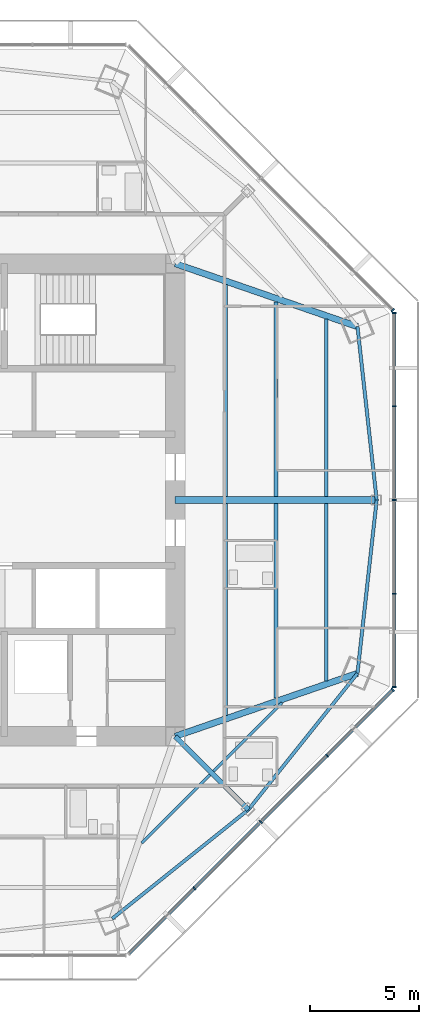
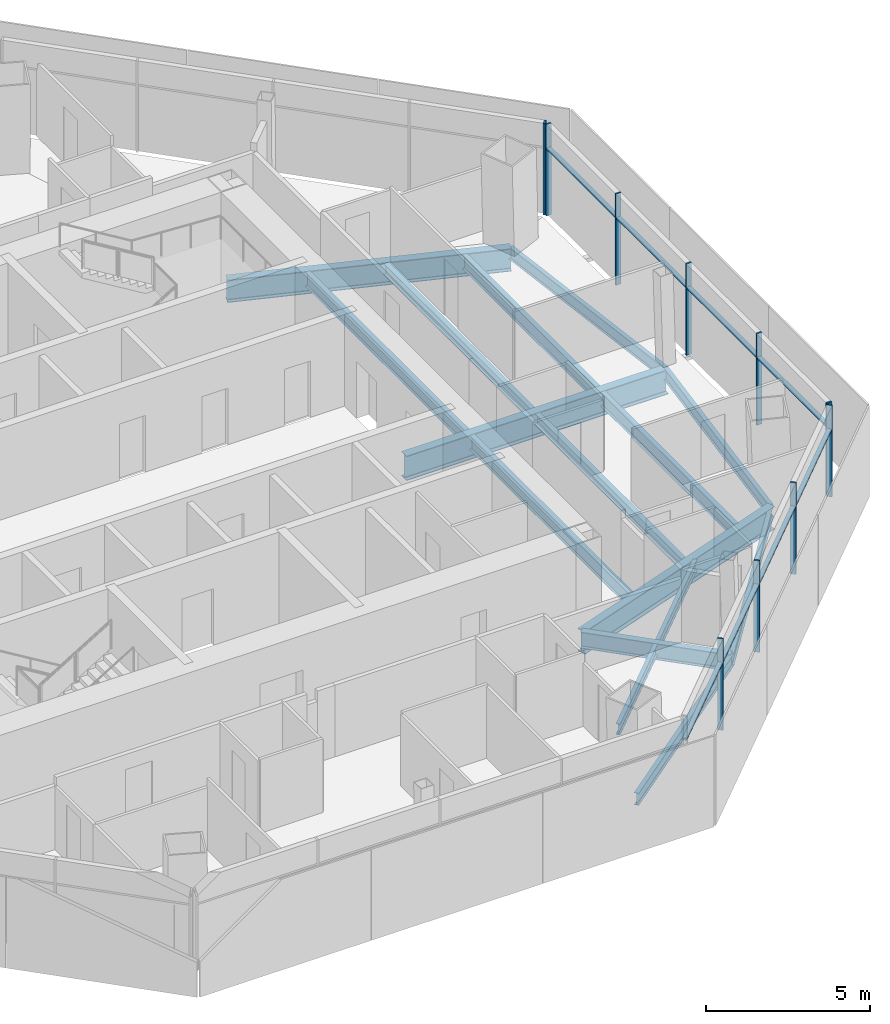
# One storey, part 4 of 14: 18 members, 16 beams, 3 elements without a shape of their own.
"""IFC4 building model written with IfcOpenShell, lengths in metres."""

import ifcopenshell
import ifcopenshell.guid

model = None  # the IFC model being written
_history = None  # IfcOwnerHistory: only IFC2X3 demands one
_inside = {}  # id of a spatial element -> (the spatial element, [elements in it])
_under = {}  # id of a project, library or spatial element -> (it, [spatial elements below it])
_declared = {}  # id of a project -> (the project, [libraries it declares])
_typed = {}  # id of a type object -> (the type object, [elements of that type])
_made_of = {}  # id of a material, layer set ... -> (it, [elements and type objects made of it])


def new_model(schema):
    """Start an empty IFC model of exactly this schema.

    Asked for "IFC4X3", IfcOpenShell would pick the latest addendum, in which some entities
    have other attributes; the version numbers below select the first issue.
    IFC2X3 requires an IfcOwnerHistory on every rooted entity: one is made here for all.
    """
    global model, _history
    if schema == "IFC4X3":
        model = ifcopenshell.file(schema_version=(4, 3, 0, 0))
    else:
        model = ifcopenshell.file(schema=schema)
    _inside.clear()
    _under.clear()
    _declared.clear()
    _typed.clear()
    _made_of.clear()
    _history = None
    if model.schema == "IFC2X3":
        org = make("IfcOrganization", Name="unknown")
        user = make(
            "IfcPersonAndOrganization",
            ThePerson=make("IfcPerson", FamilyName="unknown"),
            TheOrganization=org,
        )
        app = make(
            "IfcApplication",
            ApplicationDeveloper=org,
            Version="unknown",
            ApplicationFullName="unknown",
            ApplicationIdentifier="unknown",
        )
        _history = make(
            "IfcOwnerHistory",
            OwningUser=user,
            OwningApplication=app,
            ChangeAction="ADDED",
            CreationDate=0,
        )
    return model


def make(cls, **values):
    """One entity of the class cls with the attributes given. An attribute that is None is left unset."""
    return model.create_entity(
        cls, **{name: value for name, value in values.items() if value is not None}
    )


def rooted(cls, **values):
    """An entity with a GlobalId (a new one), such as an element, a storey or a relation."""
    return make(cls, GlobalId=ifcopenshell.guid.new(), OwnerHistory=_history, **values)


def si_unit(unit_type, name, prefix=None):
    """IfcSIUnit, for example si_unit("LENGTHUNIT", "METRE", prefix="MILLI")."""
    return make("IfcSIUnit", UnitType=unit_type, Prefix=prefix, Name=name)


def assignment(units):
    """IfcUnitAssignment: the units of a project."""
    return None if units is None else make("IfcUnitAssignment", Units=units)


def point(xyz):
    """IfcCartesianPoint."""
    return None if xyz is None else make("IfcCartesianPoint", Coordinates=xyz)


def direction(xyz):
    """IfcDirection."""
    return None if xyz is None else make("IfcDirection", DirectionRatios=xyz)


def frame(location, z_axis=None, x_axis=None):
    """IfcAxis2Placement3D, a coordinate frame: its origin and axes. An axis left out is left unset."""
    return make(
        "IfcAxis2Placement3D",
        Location=point(location),
        Axis=direction(z_axis),
        RefDirection=direction(x_axis),
    )


def frame_2d(location, x_axis=None):
    """IfcAxis2Placement2D, a coordinate frame in the plane: its origin and x axis."""
    return make(
        "IfcAxis2Placement2D", Location=point(location), RefDirection=direction(x_axis)
    )


def origin():
    """The frame at (0, 0, 0) with its axes left unset."""
    return frame((0.0, 0.0, 0.0))


def origin_2d():
    """The frame at (0, 0) in the plane with its x axis left unset."""
    return frame_2d((0.0, 0.0))


def place(relative_to, where):
    """IfcLocalPlacement: puts the frame where relative to a parent placement (None: the world)."""
    return make(
        "IfcLocalPlacement", PlacementRelTo=relative_to, RelativePlacement=where
    )


def context(
    kind, dimensions, precision=None, world=None, true_north=None, identifier=None
):
    """IfcGeometricRepresentationContext, for example the 3D "Model" context."""
    return make(
        "IfcGeometricRepresentationContext",
        ContextIdentifier=identifier,
        ContextType=kind,
        CoordinateSpaceDimension=dimensions,
        Precision=precision,
        WorldCoordinateSystem=world,
        TrueNorth=true_north,
    )


def subcontext(parent, identifier, kind, view, scale=None):
    """IfcGeometricRepresentationSubContext, for example "Body" below "Model"."""
    return make(
        "IfcGeometricRepresentationSubContext",
        ContextIdentifier=identifier,
        ContextType=kind,
        ParentContext=parent,
        TargetScale=scale,
        TargetView=view,
    )


def project(units=None, contexts=None):
    """IfcProject with its units and contexts."""
    return rooted(
        "IfcProject",
        Name="project",
        RepresentationContexts=contexts,
        UnitsInContext=assignment(units),
    )


def spatial(cls, under=None, at=None, **own):
    """A site, building, storey or space (cls), placed at a placement, below another one or the project."""
    s = rooted(cls, ObjectPlacement=at, **own)
    if under is not None:
        _under.setdefault(under.id(), (under, []))[1].append(s)
    return s


def profile(cls, at=None, kind="AREA", **sizes):
    """A parametric profile (cls). Its sizes go by their IFC names, for example OverallWidth=200.0."""
    return make(cls, ProfileType=kind, Position=at, **sizes)


def rectangle(**sizes):
    """IfcRectangleProfileDef."""
    return profile("IfcRectangleProfileDef", **sizes)


def i_section(**sizes):
    """IfcIShapeProfileDef."""
    return profile("IfcIShapeProfileDef", **sizes)


def extrude(swept, where, along, depth):
    """IfcExtrudedAreaSolid: the profile swept, set in the frame where, extruded along a direction by depth."""
    return make(
        "IfcExtrudedAreaSolid",
        SweptArea=swept,
        Position=where,
        ExtrudedDirection=direction(along),
        Depth=depth,
    )


def shape(context_of_items, identifier, shape_type, items):
    """IfcShapeRepresentation: the items that make up one representation, for example the "Body"."""
    return make(
        "IfcShapeRepresentation",
        ContextOfItems=context_of_items,
        RepresentationIdentifier=identifier,
        RepresentationType=shape_type,
        Items=items,
    )


def source(mapping_origin, context_of_items, identifier, shape_type, items):
    """IfcRepresentationMap: a shape defined once, which mapped items show again and again."""
    return make(
        "IfcRepresentationMap",
        MappingOrigin=mapping_origin,
        MappedRepresentation=shape(context_of_items, identifier, shape_type, items),
    )


def transform(
    local_origin,
    x_axis=None,
    y_axis=None,
    z_axis=None,
    scale=None,
    scale2=None,
    scale3=None,
    uniform=True,
):
    """IfcCartesianTransformationOperator3D, or its non-uniform kind. x_axis, y_axis, z_axis: its Axis1, 2, 3."""
    if uniform:
        return make(
            "IfcCartesianTransformationOperator3D",
            Axis1=direction(x_axis),
            Axis2=direction(y_axis),
            LocalOrigin=point(local_origin),
            Scale=scale,
            Axis3=direction(z_axis),
        )
    return make(
        "IfcCartesianTransformationOperator3DnonUniform",
        Axis1=direction(x_axis),
        Axis2=direction(y_axis),
        LocalOrigin=point(local_origin),
        Scale=scale,
        Axis3=direction(z_axis),
        Scale2=scale2,
        Scale3=scale3,
    )


def mapped(mapping_source, mapping_target):
    """IfcMappedItem: shows the shape of a source again, moved by a transform."""
    return make(
        "IfcMappedItem", MappingSource=mapping_source, MappingTarget=mapping_target
    )


def material(Name=None, Category=None):
    """IfcMaterial."""
    return make("IfcMaterial", Name=Name, Category=Category)


def material_profile(
    of_material, cross_section, Name=None, Category=None, Priority=None
):
    """IfcMaterialProfile: a cross section and its material."""
    return make(
        "IfcMaterialProfile",
        Name=Name,
        Material=of_material,
        Profile=cross_section,
        Priority=Priority,
        Category=Category,
    )


def profile_set(profiles, Name=None, composite=None):
    """IfcMaterialProfileSet."""
    return make(
        "IfcMaterialProfileSet",
        Name=Name,
        MaterialProfiles=profiles,
        CompositeProfile=composite,
    )


def made_of(thing, what):
    """Note that an element or type object is made of a material, layer set ...; save() writes the relation."""
    if what is not None:
        _made_of.setdefault(what.id(), (what, []))[1].append(thing)
    return thing


def type_object(cls, material=None, **own):
    """A type object (cls), such as IfcWallType, which elements share."""
    return made_of(rooted(cls, **own), material)


def type_shapes(of_type, sources):
    """Give a type object the sources (RepresentationMaps) that its elements show as mapped items."""
    of_type.RepresentationMaps = sources


def element(
    cls,
    number,
    at=None,
    inside=None,
    cuts=None,
    type_object=None,
    material=None,
    context=None,
    identifier="Body",
    shape_type=None,
    held_by="IfcProductDefinitionShape",
    body=None,
    shapes=None,
    **own,
):
    """One element of the class cls, such as IfcWall. Its Tag is "e" and its number.

    at: its placement. inside: the storey or other place that contains it. cuts: it is an
    opening in that element (IfcRelVoidsElement). A single representation is given by context,
    identifier, shape_type and body (its items); several are given by shapes. held_by: the class
    of the entity that holds the representations. save() writes the other relations.
    """
    e = rooted(cls, Tag="e%d" % number, ObjectPlacement=at, **own)
    if body is not None:
        shapes = [shape(context, identifier, shape_type, body)]
    if shapes is not None:
        e.Representation = make(held_by, Representations=shapes)
    if inside is not None:
        _inside.setdefault(inside.id(), (inside, []))[1].append(e)
    if cuts is not None:
        rooted(
            "IfcRelVoidsElement", RelatingBuildingElement=cuts, RelatedOpeningElement=e
        )
    if type_object is not None:
        _typed.setdefault(type_object.id(), (type_object, []))[1].append(e)
    return made_of(e, material)


def aggregate(whole, parts):
    """IfcRelAggregates: a whole, such as a stair, and the parts it consists of."""
    return rooted("IfcRelAggregates", RelatingObject=whole, RelatedObjects=parts)


def save(model, path):
    """Write the relations noted so far, then the file.

    IfcRelAggregates (storeys below a building ...), IfcRelContainedInSpatialStructure (elements
    in a storey), IfcRelDefinesByType, IfcRelAssociatesMaterial and IfcRelDeclares: one each for
    every whole, place, type object, material and project.
    """
    for whole, parts in _under.values():
        aggregate(whole, parts)
    for where, things in _inside.values():
        rooted(
            "IfcRelContainedInSpatialStructure",
            RelatedElements=things,
            RelatingStructure=where,
        )
    for kind, things in _typed.values():
        rooted("IfcRelDefinesByType", RelatedObjects=things, RelatingType=kind)
    for what, things in _made_of.values():
        rooted("IfcRelAssociatesMaterial", RelatedObjects=things, RelatingMaterial=what)
    for by, libraries in _declared.values():
        rooted("IfcRelDeclares", RelatingContext=by, RelatedDefinitions=libraries)
    model.write(path)


model = new_model("IFC4")

# Units and contexts
model_context = context("Model", 3, precision=1e-05, world=origin(), true_north=direction((0.0, 1.0)))
body_context = subcontext(model_context, "Body", "Model", "MODEL_VIEW")
ifc_project = project(units=[si_unit("LENGTHUNIT", "METRE"), si_unit("AREAUNIT", "SQUARE_METRE"), si_unit("VOLUMEUNIT", "CUBIC_METRE"), si_unit("PLANEANGLEUNIT", "RADIAN"), si_unit("MASSUNIT", "GRAM", prefix="KILO")], contexts=[model_context])

# Site, building, storey
site_placement = place(None, origin())
site = spatial("IfcSite", under=ifc_project, at=site_placement, CompositionType="ELEMENT")
building_placement = place(site_placement, origin())
building = spatial("IfcBuilding", under=site, at=building_placement, Name="Mashrafa Tower", CompositionType="ELEMENT")
storey_placement = place(building_placement, frame((0.0, 0.0, 255.0)))
storey = spatial("IfcBuildingStorey", under=building, at=storey_placement, Name="L61", CompositionType="ELEMENT", Elevation=255.0)

# Beams
ifc_material_1 = material(Name="Steel ASTM A992", Category="steel")
ifc_material_profile_1 = material_profile(ifc_material_1, i_section(OverallWidth=0.140380859375, OverallDepth=0.40380859375, WebThickness=0.007080078125, FlangeThickness=0.01123046875, FilletRadius=0.01025390625, at=origin_2d()), Name="W16X31")
ifc_profile_set_1 = profile_set([ifc_material_profile_1], Name="Steel ASTM A992")
beam_type_1 = type_object("IfcBeamType", Name="Beam W16X31", PredefinedType="BEAM", material=ifc_profile_set_1)
for number, where, z_axis, x_axis, name in (
    (1, (12.392822265625, -12.55419921875, -0.40185546875), (-0.707106781187, -0.707106781187, 0.0), (0.707106781187, -0.707106781187, 0.0), "Floor beam L61 024"),
    (2, (15.677001953125, -9.27001953125, -0.40185546875), (-0.707106781187, -0.707106781187, 0.0), (0.707106781187, -0.707106781187, 0.0), "Floor beam L61 030"),
):
    element("IfcBeam", number, at=place(storey_placement, frame(where, z_axis=z_axis, x_axis=x_axis)), inside=storey, type_object=beam_type_1, Name=name, PredefinedType="BEAM", context=body_context, shape_type="SweptSolid", body=[
        extrude(i_section(OverallWidth=0.140380859375, OverallDepth=0.40380859375, WebThickness=0.007080078125, FlangeThickness=0.01123046875, FilletRadius=0.01025390625, at=origin_2d()), origin(), (0.0, 0.0, 1.0), 4.416259765625),
    ])
ifc_material_2 = material(Name="Steel ASTM A992", Category="steel")
ifc_material_profile_2 = material_profile(ifc_material_2, i_section(OverallWidth=0.177734375, OverallDepth=0.406494140625, WebThickness=0.0078125, FlangeThickness=0.012939453125, FilletRadius=0.01025390625, at=origin_2d()), Name="W16X40")
ifc_profile_set_2 = profile_set([ifc_material_profile_2], Name="Steel ASTM A992")
beam_type_2 = type_object("IfcBeamType", Name="Beam W16X40", PredefinedType="BEAM", material=ifc_profile_set_2)
for number, where, z_axis, x_axis, name in (
    (3, (15.4033203125, -0.15234375, -0.4033203125), (0.0, -1.0, 0.0), (1.0, 0.0, 0.0), "Floor beam L61 028"),
    (4, (15.4033203125, 9.055419921875, -0.4033203125), (0.0, -1.0, 0.0), (1.0, 0.0, 0.0), "Floor beam L61 029"),
):
    element("IfcBeam", number, at=place(storey_placement, frame(where, z_axis=z_axis, x_axis=x_axis)), inside=storey, type_object=beam_type_2, Name=name, PredefinedType="BEAM", context=body_context, shape_type="SweptSolid", body=[
        extrude(i_section(OverallWidth=0.177734375, OverallDepth=0.406494140625, WebThickness=0.0078125, FlangeThickness=0.012939453125, FilletRadius=0.01025390625, at=origin_2d()), origin(), (0.0, 0.0, 1.0), 8.903076171875),
    ])
ifc_material_3 = material(Name="Steel ASTM A992", Category="steel")
ifc_material_profile_3 = material_profile(ifc_material_3, i_section(OverallWidth=0.15234375, OverallDepth=0.449462890625, WebThickness=0.007568359375, FlangeThickness=0.0107421875, FilletRadius=0.01025390625, at=origin_2d()), Name="W18X35")
ifc_profile_set_3 = profile_set([ifc_material_profile_3], Name="Steel ASTM A992")
beam_type_3 = type_object("IfcBeamType", Name="Beam W18X35", PredefinedType="BEAM", material=ifc_profile_set_3)
for number, where, z_axis, x_axis, name in (
    (5, (7.92333984375, -19.128662109375, -0.4248046875), (0.780698474243, 0.624907907066, 0.0), (-0.624907907066, 0.780698474243, 0.0), "Spandrel beam L61 058"),
    (6, (14.14697265625, -14.14697265625, -0.4248046875), (0.624907907066, 0.780698474243, 0.0), (-0.780698474243, 0.624907907066, 0.0), "Spandrel beam L61 060"),
    (7, (19.128662109375, -7.92333984375, -0.4248046875), (0.110159255418, 0.993913949216, 0.0), (-0.993913949216, 0.110159255418, 0.0), "Spandrel beam L61 062"),
    (8, (20.0068359375, 0.0, -0.4248046875), (-0.110159255418, 0.993913949216, 0.0), (-0.993913949216, -0.110159255418, 0.0), "Spandrel beam L61 064"),
):
    element("IfcBeam", number, at=place(storey_placement, frame(where, z_axis=z_axis, x_axis=x_axis)), inside=storey, type_object=beam_type_3, Name=name, PredefinedType="BEAM", context=body_context, shape_type="SweptSolid", body=[
        extrude(i_section(OverallWidth=0.15234375, OverallDepth=0.449462890625, WebThickness=0.007568359375, FlangeThickness=0.0107421875, FilletRadius=0.01025390625, at=origin_2d()), origin(), (0.0, 0.0, 1.0), 7.971923828125),
    ])
ifc_material_4 = material(Name="Steel ASTM A992", Category="steel")
ifc_material_profile_4 = material_profile(ifc_material_4, i_section(OverallWidth=0.165771484375, OverallDepth=0.5283203125, WebThickness=0.009765625, FlangeThickness=0.013671875, FilletRadius=0.012939453125, at=origin_2d()), Name="W21X50")
ifc_profile_set_4 = profile_set([ifc_material_profile_4], Name="Steel ASTM A992")
beam_type_4 = type_object("IfcBeamType", Name="Beam W21X50", PredefinedType="BEAM", material=ifc_profile_set_4)
for number, where, z_axis, x_axis, name in (
    (9, (13.101806640625, -0.15234375, -0.464111328125), (0.0, -1.0, 0.0), (1.0, 0.0, 0.0), "Floor beam L61 026"),
    (10, (13.101806640625, 9.8505859375, -0.464111328125), (0.0, -1.0, 0.0), (1.0, 0.0, 0.0), "Floor beam L61 027"),
):
    element("IfcBeam", number, at=place(storey_placement, frame(where, z_axis=z_axis, x_axis=x_axis)), inside=storey, type_object=beam_type_4, Name=name, PredefinedType="BEAM", context=body_context, shape_type="SweptSolid", body=[
        extrude(i_section(OverallWidth=0.165771484375, OverallDepth=0.5283203125, WebThickness=0.009765625, FlangeThickness=0.013671875, FilletRadius=0.012939453125, at=origin_2d()), origin(), (0.0, 0.0, 1.0), 9.6982421875),
    ])
for number, where, z_axis, x_axis, name in (
    (11, (17.705078125, -0.15234375, -0.464111328125), (0.0, -1.0, 0.0), (1.0, 0.0, 0.0), "Floor beam L61 031"),
    (12, (17.705078125, 8.260498046875, -0.464111328125), (0.0, -1.0, 0.0), (1.0, 0.0, 0.0), "Floor beam L61 032"),
):
    element("IfcBeam", number, at=place(storey_placement, frame(where, z_axis=z_axis, x_axis=x_axis)), inside=storey, type_object=beam_type_4, Name=name, PredefinedType="BEAM", context=body_context, shape_type="SweptSolid", body=[
        extrude(i_section(OverallWidth=0.165771484375, OverallDepth=0.5283203125, WebThickness=0.009765625, FlangeThickness=0.013671875, FilletRadius=0.012939453125, at=origin_2d()), origin(), (0.0, 0.0, 1.0), 8.108154296875),
    ])
ifc_material_5 = material(Name="Steel ASTM A992", Category="steel")
ifc_material_profile_5 = material_profile(ifc_material_5, i_section(OverallWidth=0.227783203125, OverallDepth=0.60205078125, WebThickness=0.010498046875, FlangeThickness=0.014892578125, FilletRadius=0.012939453125, at=origin_2d()), Name="W24X68")
ifc_profile_set_5 = profile_set([ifc_material_profile_5], Name="Steel ASTM A992")
beam_type_5 = type_object("IfcBeamType", Name="Beam W24X68", PredefinedType="BEAM", material=ifc_profile_set_5)
beam_1_placement = place(storey_placement, frame((10.800048828125, -10.800048828125, -0.5009765625), z_axis=(0.707106781187, -0.707106781187, 0.0), x_axis=(0.707106781187, 0.707106781187, 0.0)))
element("IfcBeam", 13, at=beam_1_placement, inside=storey, type_object=beam_type_5, Name="Radial girder L61 043", PredefinedType="BEAM", context=body_context, shape_type="SweptSolid", body=[
    extrude(i_section(OverallWidth=0.227783203125, OverallDepth=0.60205078125, WebThickness=0.010498046875, FlangeThickness=0.014892578125, FilletRadius=0.012939453125, at=origin_2d()), origin(), (0.0, 0.0, 1.0), 4.733154296875),
])
ifc_material_6 = material(Name="Steel ASTM A992", Category="steel")
ifc_material_profile_6 = material_profile(ifc_material_6, i_section(OverallWidth=0.2919921875, OverallDepth=0.8408203125, WebThickness=0.0146484375, FlangeThickness=0.021728515625, FilletRadius=0.017333984375, at=origin_2d()), Name="W33X130")
ifc_profile_set_6 = profile_set([ifc_material_profile_6], Name="Steel ASTM A992")
beam_type_6 = type_object("IfcBeamType", Name="Beam W33X130", PredefinedType="BEAM", material=ifc_profile_set_6)
for number, where, z_axis, x_axis, name in (
    (14, (10.800048828125, -10.800048828125, -0.620361328125), (0.945205907345, 0.326474796454, 0.0), (-0.326474796454, 0.945205907345, 0.0), "Radial girder L61 044"),
    (15, (10.800048828125, 10.800048828125, -0.620361328125), (0.945205907345, -0.326474796454, 0.0), (0.326474796454, 0.945205907345, 0.0), "Radial girder L61 048"),
):
    element("IfcBeam", number, at=place(storey_placement, frame(where, z_axis=z_axis, x_axis=x_axis)), inside=storey, type_object=beam_type_6, Name=name, PredefinedType="BEAM", context=body_context, shape_type="SweptSolid", body=[
        extrude(i_section(OverallWidth=0.2919921875, OverallDepth=0.8408203125, WebThickness=0.0146484375, FlangeThickness=0.021728515625, FilletRadius=0.017333984375, at=origin_2d()), origin(), (0.0, 0.0, 1.0), 8.8115234375),
    ])
ifc_material_7 = material(Name="Steel ASTM A992", Category="steel")
ifc_material_profile_7 = material_profile(ifc_material_7, i_section(OverallWidth=0.3046875, OverallDepth=0.911865234375, WebThickness=0.015869140625, FlangeThickness=0.02392578125, FilletRadius=0.01904296875, at=origin_2d()), Name="W36X150")
ifc_profile_set_7 = profile_set([ifc_material_profile_7], Name="Steel ASTM A992")
beam_type_7 = type_object("IfcBeamType", Name="Beam W36X150", PredefinedType="BEAM", material=ifc_profile_set_7)
beam_2_placement = place(storey_placement, frame((10.800048828125, 0.0, -0.656005859375), z_axis=(1.0, 0.0, 0.0), x_axis=(0.0, 1.0, 0.0)))
element("IfcBeam", 16, at=beam_2_placement, inside=storey, type_object=beam_type_7, Name="Radial girder L61 045", PredefinedType="BEAM", context=body_context, shape_type="SweptSolid", body=[
    extrude(i_section(OverallWidth=0.3046875, OverallDepth=0.911865234375, WebThickness=0.015869140625, FlangeThickness=0.02392578125, FilletRadius=0.01904296875, at=origin_2d()), origin(), (0.0, 0.0, 1.0), 9.206787109375),
])

# Curtain wall, members
ifc_material_8 = material(Name="Unitised aluminium curtain wall", Category="aluminium")
curtain_wall_type = type_object("IfcCurtainWallType", Name="Apartment curtain wall, zone 3 CW-C 180 deep", PredefinedType="NOTDEFINED", material=ifc_material_8)
curtain_wall_1_placement = place(storey_placement, origin())
curtain_wall_1 = element("IfcCurtainWall", 17, at=curtain_wall_1_placement, inside=storey, type_object=curtain_wall_type, Name="Apartment curtain wall, zone 3 L61 east", PredefinedType="NOTDEFINED")
ifc_material_9 = material(Name="Extruded aluminium mullion", Category="aluminium")
ifc_material_profile_8 = material_profile(ifc_material_9, rectangle(XDim=0.179931640625, YDim=0.06005859375, at=origin_2d()), Name="Mullion 60x180")
ifc_profile_set_8 = profile_set([ifc_material_profile_8], Name="Extruded aluminium mullion")
member_type_1 = type_object("IfcMemberType", Name="Mullion CW-C 60 x 180", PredefinedType="MULLION", material=ifc_profile_set_8)
shared_shape_1 = source(origin(), body_context, "Body", "SweptSolid", [
    extrude(rectangle(XDim=0.179931640625, YDim=0.06005859375, at=origin_2d()), origin(), (0.0, 0.0, 1.0), 3.39990234375),
])
type_shapes(member_type_1, [shared_shape_1])
member_1_placement = place(storey_placement, frame((20.801025390625, -8.538818359375, 0.0), z_axis=(0.0, 0.0, 1.0), x_axis=(-1.0, 0.0, 0.0)))
member_1 = element("IfcMember", 18, at=member_1_placement, type_object=member_type_1, Name="CW-C mullion 1", PredefinedType="MULLION", context=body_context, shape_type="MappedRepresentation", body=[
    mapped(shared_shape_1, transform((0.0, 0.0, 0.0))),
])
member_2_placement = place(storey_placement, frame((20.801025390625, -4.284423828125, 0.0), z_axis=(0.0, 0.0, 1.0), x_axis=(-1.0, 0.0, 0.0)))
member_2 = element("IfcMember", 19, at=member_2_placement, type_object=member_type_1, Name="CW-C mullion 2", PredefinedType="MULLION", context=body_context, shape_type="MappedRepresentation", body=[
    mapped(shared_shape_1, transform((0.0, 0.0, 0.0))),
])
member_3_placement = place(storey_placement, frame((20.801025390625, 0.0, 0.0), z_axis=(0.0, 0.0, 1.0), x_axis=(-1.0, 0.0, 0.0)))
member_3 = element("IfcMember", 20, at=member_3_placement, type_object=member_type_1, Name="CW-C mullion 3", PredefinedType="MULLION", context=body_context, shape_type="MappedRepresentation", body=[
    mapped(shared_shape_1, transform((0.0, 0.0, 0.0))),
])
member_4_placement = place(storey_placement, frame((20.801025390625, 4.284423828125, 0.0), z_axis=(0.0, 0.0, 1.0), x_axis=(-1.0, 0.0, 0.0)))
member_4 = element("IfcMember", 21, at=member_4_placement, type_object=member_type_1, Name="CW-C mullion 4", PredefinedType="MULLION", context=body_context, shape_type="MappedRepresentation", body=[
    mapped(shared_shape_1, transform((0.0, 0.0, 0.0))),
])
member_5_placement = place(storey_placement, frame((20.801025390625, 8.538818359375, 0.0), z_axis=(0.0, 0.0, 1.0), x_axis=(-1.0, 0.0, 0.0)))
member_5 = element("IfcMember", 22, at=member_5_placement, type_object=member_type_1, Name="CW-C mullion 5", PredefinedType="MULLION", context=body_context, shape_type="MappedRepresentation", body=[
    mapped(shared_shape_1, transform((0.0, 0.0, 0.0))),
])

# Curtain wall, member
curtain_wall_2_placement = place(storey_placement, origin())
curtain_wall_2 = element("IfcCurtainWall", 23, at=curtain_wall_2_placement, inside=storey, type_object=curtain_wall_type, Name="Apartment curtain wall, zone 3 L61 north-east", PredefinedType="NOTDEFINED")
member_6_placement = place(storey_placement, frame((20.74658203125, 8.670654296875, 0.0), z_axis=(0.0, 0.0, 1.0), x_axis=(-0.707106781187, -0.707106781187, 0.0)))
member_6 = element("IfcMember", 24, at=member_6_placement, type_object=member_type_1, Name="CW-C mullion 1", PredefinedType="MULLION", context=body_context, shape_type="MappedRepresentation", body=[
    mapped(shared_shape_1, transform((0.0, 0.0, 0.0))),
])
aggregate(curtain_wall_2, [member_6])

# Curtain wall, members
curtain_wall_3_placement = place(storey_placement, origin())
curtain_wall_3 = element("IfcCurtainWall", 25, at=curtain_wall_3_placement, inside=storey, type_object=curtain_wall_type, Name="Apartment curtain wall, zone 3 L61 south-east", PredefinedType="NOTDEFINED")
member_7_placement = place(storey_placement, frame((11.67919921875, -17.73828125, 0.0), z_axis=(0.0, 0.0, 1.0), x_axis=(-0.707106781187, 0.707106781187, 0.0)))
member_7 = element("IfcMember", 26, at=member_7_placement, type_object=member_type_1, Name="CW-C mullion 2", PredefinedType="MULLION", context=body_context, shape_type="MappedRepresentation", body=[
    mapped(shared_shape_1, transform((0.0, 0.0, 0.0))),
])
member_8_placement = place(storey_placement, frame((14.708740234375, -14.708740234375, 0.0), z_axis=(0.0, 0.0, 1.0), x_axis=(-0.707106781187, 0.707106781187, 0.0)))
member_8 = element("IfcMember", 27, at=member_8_placement, type_object=member_type_1, Name="CW-C mullion 3", PredefinedType="MULLION", context=body_context, shape_type="MappedRepresentation", body=[
    mapped(shared_shape_1, transform((0.0, 0.0, 0.0))),
])
member_9_placement = place(storey_placement, frame((17.73828125, -11.67919921875, 0.0), z_axis=(0.0, 0.0, 1.0), x_axis=(-0.707106781187, 0.707106781187, 0.0)))
member_9 = element("IfcMember", 28, at=member_9_placement, type_object=member_type_1, Name="CW-C mullion 4", PredefinedType="MULLION", context=body_context, shape_type="MappedRepresentation", body=[
    mapped(shared_shape_1, transform((0.0, 0.0, 0.0))),
])
member_10_placement = place(storey_placement, frame((20.74658203125, -8.670654296875, 0.0), z_axis=(0.0, 0.0, 1.0), x_axis=(-0.707106781187, 0.707106781187, 0.0)))
member_10 = element("IfcMember", 29, at=member_10_placement, type_object=member_type_1, Name="CW-C mullion 5", PredefinedType="MULLION", context=body_context, shape_type="MappedRepresentation", body=[
    mapped(shared_shape_1, transform((0.0, 0.0, 0.0))),
])

# Member
ifc_material_10 = material(Name="Extruded aluminium transom", Category="aluminium")
ifc_material_profile_9 = material_profile(ifc_material_10, rectangle(XDim=0.14404296875, YDim=0.074951171875, at=origin_2d()), Name="Transom 75x144")
ifc_profile_set_9 = profile_set([ifc_material_profile_9], Name="Extruded aluminium transom")
member_type_2 = type_object("IfcMemberType", Name="Transom CW-C 75 x 144", PredefinedType="MULLION", material=ifc_profile_set_9)
shared_shape_2 = source(origin(), body_context, "Body", "SweptSolid", [
    extrude(rectangle(XDim=0.14404296875, YDim=0.074951171875, at=origin_2d()), origin(), (0.0, 0.0, 1.0), 4.1943359375),
])
member_11_placement = place(storey_placement, frame((20.801025390625, -8.5087890625, 2.5), z_axis=(0.0, 1.0, 0.0), x_axis=(-1.0, 0.0, 0.0)))
member_11 = element("IfcMember", 30, at=member_11_placement, type_object=member_type_2, Name="CW-C transom 1", PredefinedType="MULLION", context=body_context, shape_type="MappedRepresentation", body=[
    mapped(shared_shape_2, transform((0.0, 0.0, 0.0))),
])

member_12_placement = place(storey_placement, frame((20.801025390625, 4.314453125, 2.5), z_axis=(0.0, 1.0, 0.0), x_axis=(-1.0, 0.0, 0.0)))
member_12 = element("IfcMember", 31, at=member_12_placement, type_object=member_type_2, Name="CW-C transom 4", PredefinedType="MULLION", context=body_context, shape_type="MappedRepresentation", body=[
    mapped(shared_shape_2, transform((0.0, 0.0, 0.0))),
])

shared_shape_3 = source(origin(), body_context, "Body", "SweptSolid", [
    extrude(rectangle(XDim=0.14404296875, YDim=0.074951171875, at=origin_2d()), origin(), (0.0, 0.0, 1.0), 4.224365234375),
])
member_13_placement = place(storey_placement, frame((20.801025390625, -4.25439453125, 2.5), z_axis=(0.0, 1.0, 0.0), x_axis=(-1.0, 0.0, 0.0)))
member_13 = element("IfcMember", 32, at=member_13_placement, type_object=member_type_2, Name="CW-C transom 2", PredefinedType="MULLION", context=body_context, shape_type="MappedRepresentation", body=[
    mapped(shared_shape_3, transform((0.0, 0.0, 0.0))),
])

member_14_placement = place(storey_placement, frame((20.801025390625, 0.030029296875, 2.5), z_axis=(0.0, 1.0, 0.0), x_axis=(-1.0, 0.0, 0.0)))
member_14 = element("IfcMember", 33, at=member_14_placement, type_object=member_type_2, Name="CW-C transom 3", PredefinedType="MULLION", context=body_context, shape_type="MappedRepresentation", body=[
    mapped(shared_shape_3, transform((0.0, 0.0, 0.0))),
])

aggregate(curtain_wall_1, [member_1, member_2, member_3, member_4, member_5, member_11, member_13, member_14, member_12])

shared_shape_4 = source(origin(), body_context, "Body", "SweptSolid", [
    extrude(rectangle(XDim=0.14404296875, YDim=0.074951171875, at=origin_2d()), origin(), (0.0, 0.0, 1.0), 4.194580078125),
])
member_15_placement = place(storey_placement, frame((8.69189453125, -20.725341796875, 2.5), z_axis=(0.707106781187, 0.707106781187, 0.0), x_axis=(-0.707106781187, 0.707106781187, 0.0)))
member_15 = element("IfcMember", 34, at=member_15_placement, type_object=member_type_2, Name="CW-C transom 1", PredefinedType="MULLION", context=body_context, shape_type="MappedRepresentation", body=[
    mapped(shared_shape_4, transform((0.0, 0.0, 0.0))),
])

member_16_placement = place(storey_placement, frame((17.75927734375, -11.657958984375, 2.5), z_axis=(0.707106781187, 0.707106781187, 0.0), x_axis=(-0.707106781187, 0.707106781187, 0.0)))
member_16 = element("IfcMember", 35, at=member_16_placement, type_object=member_type_2, Name="CW-C transom 4", PredefinedType="MULLION", context=body_context, shape_type="MappedRepresentation", body=[
    mapped(shared_shape_4, transform((0.0, 0.0, 0.0))),
])

shared_shape_5 = source(origin(), body_context, "Body", "SweptSolid", [
    extrude(rectangle(XDim=0.14404296875, YDim=0.074951171875, at=origin_2d()), origin(), (0.0, 0.0, 1.0), 4.224609375),
])
type_shapes(member_type_2, [shared_shape_2, shared_shape_3, shared_shape_4, shared_shape_5])
member_17_placement = place(storey_placement, frame((11.7001953125, -17.717041015625, 2.5), z_axis=(0.707106781187, 0.707106781187, 0.0), x_axis=(-0.707106781187, 0.707106781187, 0.0)))
member_17 = element("IfcMember", 36, at=member_17_placement, type_object=member_type_2, Name="CW-C transom 2", PredefinedType="MULLION", context=body_context, shape_type="MappedRepresentation", body=[
    mapped(shared_shape_5, transform((0.0, 0.0, 0.0))),
])

member_18_placement = place(storey_placement, frame((14.729736328125, -14.6875, 2.5), z_axis=(0.707106781187, 0.707106781187, 0.0), x_axis=(-0.707106781187, 0.707106781187, 0.0)))
member_18 = element("IfcMember", 37, at=member_18_placement, type_object=member_type_2, Name="CW-C transom 3", PredefinedType="MULLION", context=body_context, shape_type="MappedRepresentation", body=[
    mapped(shared_shape_5, transform((0.0, 0.0, 0.0))),
])

aggregate(curtain_wall_3, [member_7, member_8, member_9, member_10, member_15, member_17, member_18, member_16])

save(model, "model.ifc")
